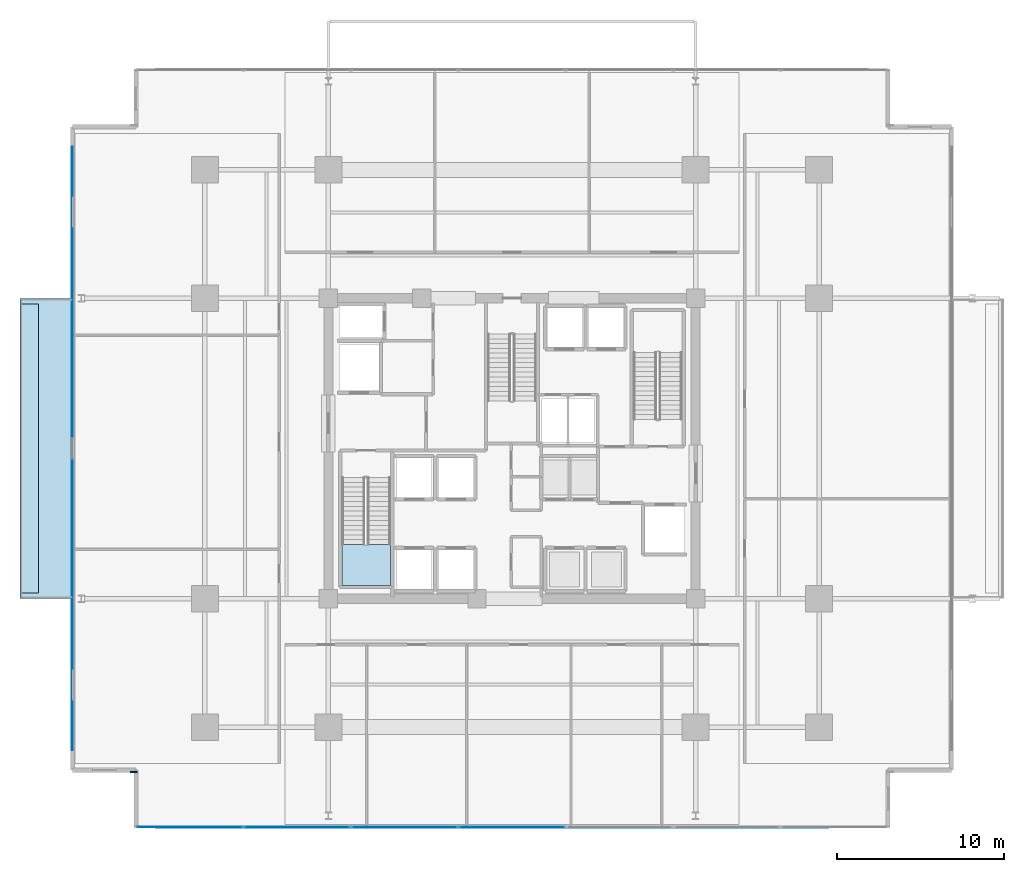
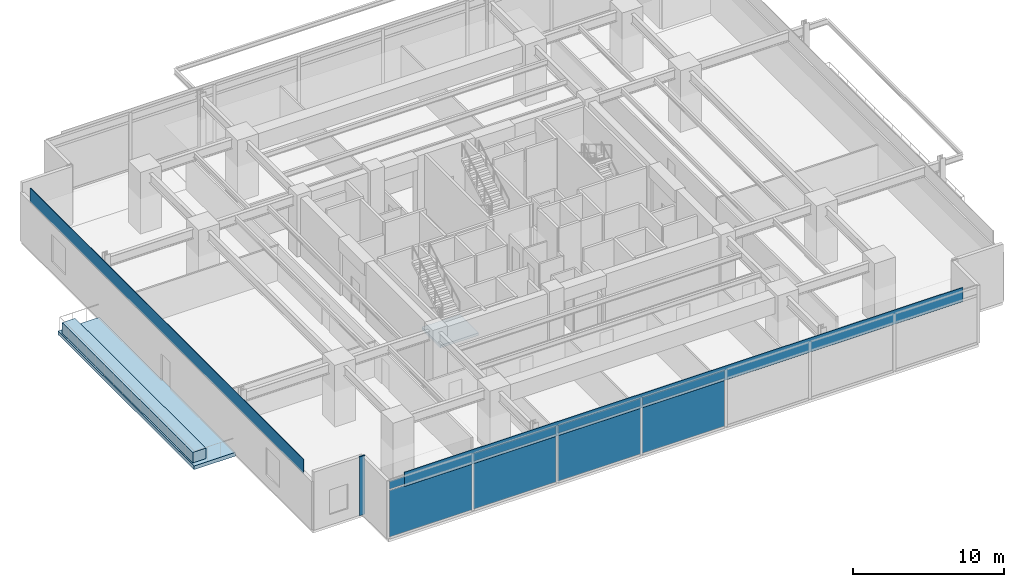
# One storey, part 13 of 24: 11 plates, 3 slabs, 2 elements without a shape of their own.
"""IFC4 building model written with IfcOpenShell, lengths in metres."""

from ifc_helpers import new_model, si_unit, direction, frame, origin, origin_2d, place, context, subcontext, project, spatial, polyline, rectangle, outline, extrude, material, layer, layer_set, type_object, element, aggregate, save


model = new_model("IFC4")

# Units and contexts
model_context = context("Model", 3, precision=1e-05, world=origin(), true_north=direction((0.0, 1.0)))
body_context = subcontext(model_context, "Body", "Model", "MODEL_VIEW")
ifc_project = project(units=[si_unit("LENGTHUNIT", "METRE"), si_unit("AREAUNIT", "SQUARE_METRE"), si_unit("VOLUMEUNIT", "CUBIC_METRE"), si_unit("PLANEANGLEUNIT", "RADIAN"), si_unit("MASSUNIT", "GRAM", prefix="KILO")], contexts=[model_context])

# Site, building, storey
site_placement = place(None, origin())
site = spatial("IfcSite", under=ifc_project, at=site_placement, CompositionType="ELEMENT")
building_placement = place(site_placement, origin())
building = spatial("IfcBuilding", under=site, at=building_placement, Name="Kovane Verandah Tower", CompositionType="ELEMENT")
storey_placement = place(building_placement, frame((0.0, 0.0, 118.39990234375)))
storey = spatial("IfcBuildingStorey", under=building, at=storey_placement, Name="L27", CompositionType="ELEMENT", Elevation=118.39990234375)

# Curtain wall, plates
ifc_material_1 = material(Name="Champagne Anodised Aluminium Frame with Low-E Clear Laminated Glass", Category="aluminium")
curtain_wall_type = type_object("IfcCurtainWallType", Name="CW-SYS-03-MID", PredefinedType="NOTDEFINED", material=ifc_material_1)
curtain_wall_placement = place(storey_placement, origin())
curtain_wall = element("IfcCurtainWall", 1, at=curtain_wall_placement, inside=storey, type_object=curtain_wall_type, Name="L27 S Unitised Curtain Wall", PredefinedType="NOTDEFINED")
ifc_material_2 = material(Name="Pale Champagne Anodised Aluminium Insulated Spandrel", Category="aluminium")
ifc_layer_1 = layer(ifc_material_2, 0.0400390625)
ifc_layer_set_1 = layer_set([ifc_layer_1], Name="Pale Champagne Anodised Aluminium Insulated Spandrel")
plate_type_1 = type_object("IfcPlateType", Name="PL-CW-SPD-40", PredefinedType="SHEET", material=ifc_layer_set_1)
plate_1_placement = place(storey_placement, frame((20.688720703125, 4.8291015625, 3.97021484375), z_axis=(0.0, 0.0, 1.0), x_axis=(1.0, 0.0, 0.0)))
plate_1 = element("IfcPlate", 2, at=plate_1_placement, type_object=plate_type_1, Name="L27 S Unitised Curtain Wall Spandrel Panel 1", PredefinedType="SHEET", context=body_context, shape_type="SweptSolid", body=[
    extrude(rectangle(XDim=6.297119140625, YDim=0.0400390625, at=origin_2d()), origin(), (0.0, 0.0, 1.0), 0.639892578125),
])
plate_2_placement = place(storey_placement, frame((27.125732421875, 4.8291015625, 3.97021484375), z_axis=(0.0, 0.0, 1.0), x_axis=(1.0, 0.0, 0.0)))
plate_2 = element("IfcPlate", 3, at=plate_2_placement, type_object=plate_type_1, Name="L27 S Unitised Curtain Wall Spandrel Panel 2", PredefinedType="SHEET", context=body_context, shape_type="SweptSolid", body=[
    extrude(rectangle(XDim=6.297119140625, YDim=0.0400390625, at=origin_2d()), origin(), (0.0, 0.0, 1.0), 0.639892578125),
])
plate_3_placement = place(storey_placement, frame((33.56298828125, 4.8291015625, 3.97021484375), z_axis=(0.0, 0.0, 1.0), x_axis=(1.0, 0.0, 0.0)))
plate_3 = element("IfcPlate", 4, at=plate_3_placement, type_object=plate_type_1, Name="L27 S Unitised Curtain Wall Spandrel Panel 3", PredefinedType="SHEET", context=body_context, shape_type="SweptSolid", body=[
    extrude(rectangle(XDim=6.297119140625, YDim=0.0400390625, at=origin_2d()), origin(), (0.0, 0.0, 1.0), 0.639892578125),
])
plate_4_placement = place(storey_placement, frame((40.0, 4.8291015625, 3.97021484375), z_axis=(0.0, 0.0, 1.0), x_axis=(1.0, 0.0, 0.0)))
plate_4 = element("IfcPlate", 5, at=plate_4_placement, type_object=plate_type_1, Name="L27 S Unitised Curtain Wall Spandrel Panel 4", PredefinedType="SHEET", context=body_context, shape_type="SweptSolid", body=[
    extrude(rectangle(XDim=6.297119140625, YDim=0.0400390625, at=origin_2d()), origin(), (0.0, 0.0, 1.0), 0.639892578125),
])
ifc_material_3 = material(Name="Clear Low-E Laminated Double Glazing", Category="glass")
ifc_layer_2 = layer(ifc_material_3, 0.031982421875)
ifc_layer_set_2 = layer_set([ifc_layer_2], Name="Clear Low-E Laminated Double Glazing")
plate_type_2 = type_object("IfcPlateType", Name="PL-CW-VIS-32", PredefinedType="CURTAIN_PANEL", material=ifc_layer_set_2)
plate_5_placement = place(storey_placement, frame((20.688720703125, 4.8291015625, 0.10009765625), z_axis=(0.0, 0.0, 1.0), x_axis=(1.0, 0.0, 0.0)))
plate_5 = element("IfcPlate", 6, at=plate_5_placement, type_object=plate_type_2, Name="L27 S Unitised Curtain Wall Vision Panel 1", PredefinedType="CURTAIN_PANEL", context=body_context, shape_type="SweptSolid", body=[
    extrude(rectangle(XDim=6.297119140625, YDim=0.031982421875, at=origin_2d()), origin(), (0.0, 0.0, 1.0), 3.77001953125),
])
plate_6_placement = place(storey_placement, frame((27.125732421875, 4.8291015625, 0.10009765625), z_axis=(0.0, 0.0, 1.0), x_axis=(1.0, 0.0, 0.0)))
plate_6 = element("IfcPlate", 7, at=plate_6_placement, type_object=plate_type_2, Name="L27 S Unitised Curtain Wall Vision Panel 2", PredefinedType="CURTAIN_PANEL", context=body_context, shape_type="SweptSolid", body=[
    extrude(rectangle(XDim=6.297119140625, YDim=0.031982421875, at=origin_2d()), origin(), (0.0, 0.0, 1.0), 3.77001953125),
])
plate_7_placement = place(storey_placement, frame((33.56298828125, 4.8291015625, 0.10009765625), z_axis=(0.0, 0.0, 1.0), x_axis=(1.0, 0.0, 0.0)))
plate_7 = element("IfcPlate", 8, at=plate_7_placement, type_object=plate_type_2, Name="L27 S Unitised Curtain Wall Vision Panel 3", PredefinedType="CURTAIN_PANEL", context=body_context, shape_type="SweptSolid", body=[
    extrude(rectangle(XDim=6.297119140625, YDim=0.031982421875, at=origin_2d()), origin(), (0.0, 0.0, 1.0), 3.77001953125),
])
plate_8_placement = place(storey_placement, frame((40.0, 4.8291015625, 0.10009765625), z_axis=(0.0, 0.0, 1.0), x_axis=(1.0, 0.0, 0.0)))
plate_8 = element("IfcPlate", 9, at=plate_8_placement, type_object=plate_type_2, Name="L27 S Unitised Curtain Wall Vision Panel 4", PredefinedType="CURTAIN_PANEL", context=body_context, shape_type="SweptSolid", body=[
    extrude(rectangle(XDim=6.297119140625, YDim=0.031982421875, at=origin_2d()), origin(), (0.0, 0.0, 1.0), 3.77001953125),
])
aggregate(curtain_wall, [plate_5, plate_1, plate_6, plate_2, plate_7, plate_3, plate_8, plate_4])

# Plates
ifc_material_4 = material(Name="Timber-Toned Subtropical Aluminium Vertical Blade", Category="wood")
ifc_layer_3 = layer(ifc_material_4, 0.090087890625)
ifc_layer_set_3 = layer_set([ifc_layer_3], Name="Timber-Toned Subtropical Aluminium Vertical Blade")
plate_type_3 = type_object("IfcPlateType", Name="PL-FIN-90", PredefinedType="USERDEFINED", material=ifc_layer_set_3)
plate_9_placement = place(storey_placement, frame((17.35009765625, 8.109130859375, -0.02001953125), z_axis=(0.0, 0.0, 1.0), x_axis=(1.0, 0.0, 0.0)))
element("IfcPlate", 10, at=plate_9_placement, inside=storey, type_object=plate_type_3, Name="L27 SW Timber-Toned Vertical Corner Fin", ObjectType="FIN", PredefinedType="USERDEFINED", context=body_context, shape_type="SweptSolid", body=[
    extrude(rectangle(XDim=0.419921875, YDim=0.090087890625, at=origin_2d()), origin(), (0.0, 0.0, 1.0), 4.760009765625),
])
ifc_material_5 = material(Name="Perforated Pale Champagne Anodised Aluminium Solar Screen", Category="aluminium")
ifc_layer_4 = layer(ifc_material_5, 0.050048828125)
ifc_layer_set_4 = layer_set([ifc_layer_4], Name="Perforated Pale Champagne Anodised Aluminium Solar Screen")
plate_type_4 = type_object("IfcPlateType", Name="PL-SCREEN-50", PredefinedType="USERDEFINED", material=ifc_layer_set_4)
plate_10_placement = place(storey_placement, frame((40.0, 4.814208984375, 3.800048828125), z_axis=(0.0, 0.0, 1.0), x_axis=(1.0, 0.0, 0.0)))
element("IfcPlate", 11, at=plate_10_placement, inside=storey, type_object=plate_type_4, Name="L27 S Perforated Champagne-Gold Solar Screen", ObjectType="SCREEN", PredefinedType="USERDEFINED", context=body_context, shape_type="SweptSolid", body=[
    extrude(rectangle(XDim=42.659912109375, YDim=0.050048828125, at=origin_2d()), origin(), (0.0, 0.0, 1.0), 1.14990234375),
])
plate_11_placement = place(storey_placement, frame((13.655029296875, 27.5, 3.800048828125), z_axis=(0.0, 0.0, 1.0), x_axis=(0.0, -1.0, 0.0)))
element("IfcPlate", 12, at=plate_11_placement, inside=storey, type_object=plate_type_4, Name="L27 W Perforated Champagne-Gold Solar Screen", ObjectType="SCREEN", PredefinedType="USERDEFINED", context=body_context, shape_type="SweptSolid", body=[
    extrude(rectangle(XDim=36.14208984375, YDim=0.050048828125, at=origin_2d()), origin(), (0.0, 0.0, 1.0), 1.14990234375),
])

# Slab
ifc_material_6 = material(Name="Concrete C45/55", Category="concrete")
ifc_layer_5 = layer(ifc_material_6, 0.300048828125)
ifc_layer_set_5 = layer_set([ifc_layer_5], Name="Concrete C45/55")
slab_type_1 = type_object("IfcSlabType", Name="SL-BALC-300", PredefinedType="FLOOR", material=ifc_layer_set_5)
slab_1_placement = place(storey_placement, frame((0.0, 0.0, -0.2998046875)))
element("IfcSlab", 13, at=slab_1_placement, inside=storey, type_object=slab_type_1, Name="L27 W Planted Verandah Balcony Slab", PredefinedType="FLOOR", context=body_context, shape_type="SweptSolid", body=[
    extrude(outline(polyline([(10.52001953125, 18.5), (13.670166015625, 18.5), (13.670166015625, 36.5), (10.52001953125, 36.5), (10.52001953125, 18.5)])), origin(), (0.0, 0.0, 1.0), 0.2998046875),
])

# Stair, slab
stair_type = type_object("IfcStairType", Name="ST-CORE-1380", PredefinedType="HALF_TURN_STAIR", material=ifc_material_6)
stair_placement = place(storey_placement, origin())
stair = element("IfcStair", 14, at=stair_placement, inside=storey, type_object=stair_type, Name="L27 Exit Stair ST-01", PredefinedType="HALF_TURN_STAIR")
ifc_layer_6 = layer(ifc_material_6, 0.199951171875)
ifc_layer_set_6 = layer_set([ifc_layer_6], Name="Concrete C45/55")
slab_type_2 = type_object("IfcSlabType", Name="SL-LAND-200", PredefinedType="LANDING", material=ifc_layer_set_6)
slab_2_placement = place(storey_placement, frame((0.0, 0.0, 2.300048828125)))
slab_2 = element("IfcSlab", 15, at=slab_2_placement, type_object=slab_type_2, Name="ST-01 landing 1", PredefinedType="LANDING", context=body_context, shape_type="SweptSolid", body=[
    extrude(outline(polyline([(29.800048828125, 21.760009765625), (29.800048828125, 19.300048828125), (32.719970703125, 19.300048828125), (32.719970703125, 21.760009765625), (29.800048828125, 21.760009765625)])), origin(), (0.0, 0.0, 1.0), 0.199951171875),
])
aggregate(stair, [slab_2])

# Slab
ifc_material_7 = material(Name="Architectural Precast Concrete C45/55 Planter Trough", Category="concrete")
ifc_layer_7 = layer(ifc_material_7, 0.219970703125)
ifc_layer_set_7 = layer_set([ifc_layer_7], Name="Architectural Precast Concrete C45/55 Planter Trough")
slab_type_3 = type_object("IfcSlabType", Name="SL-PLANTER-220", PredefinedType="USERDEFINED", material=ifc_layer_set_7)
slab_3_placement = place(storey_placement, origin())
element("IfcSlab", 16, at=slab_3_placement, inside=storey, type_object=slab_type_3, Name="L27 W Structural Tree Planter", ObjectType="PLANTER", PredefinedType="USERDEFINED", context=body_context, shape_type="SweptSolid", body=[
    extrude(outline(polyline([(10.6201171875, 18.85009765625), (11.6201171875, 18.85009765625), (11.6201171875, 36.14990234375), (10.6201171875, 36.14990234375), (10.6201171875, 18.85009765625)])), origin(), (0.0, 0.0, 1.0), 0.85009765625),
])

save(model, "model.ifc")
